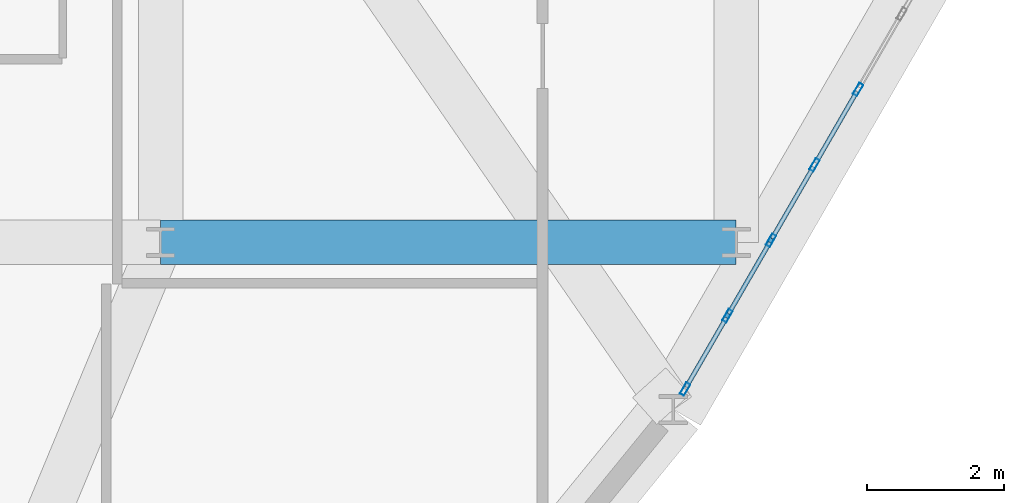
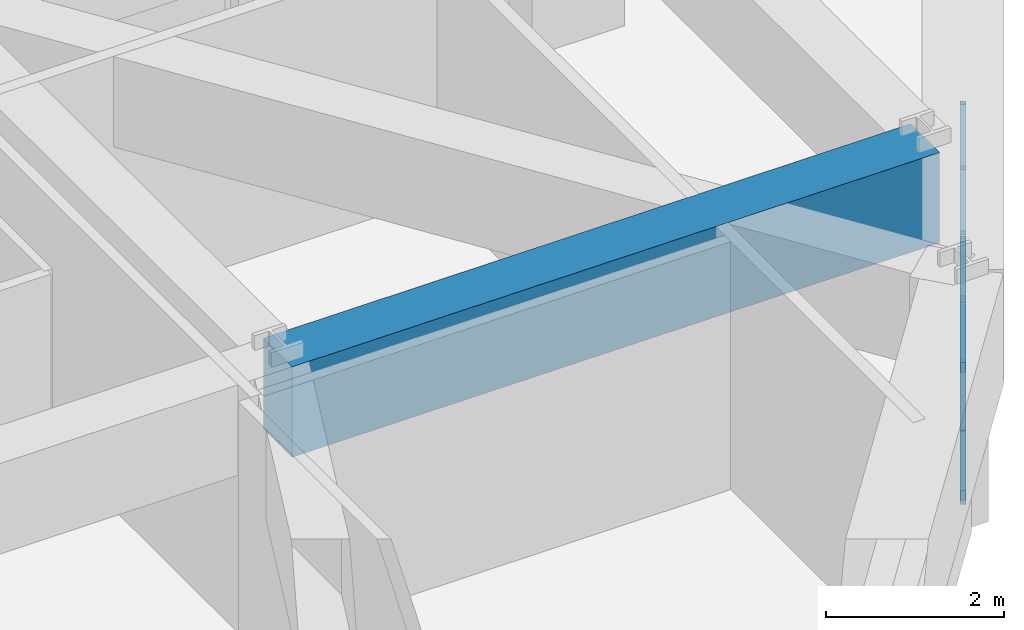
# One storey, part 6 of 16: 14 members, 1 beam, 1 element without a shape of its own.
"""IFC4 building model written with IfcOpenShell, lengths in metres."""

from ifc_helpers import new_model, si_unit, derived_unit, direction, frame, origin, origin_2d, place, context, subcontext, project, spatial, rectangle, hollow_rectangle, extrude, source, transform, mapped, material, layer, layer_set, material_profile, profile_set, type_object, element, aggregate, save


model = new_model("IFC4")

# Units and contexts
model_context = context("Model", 3, precision=1e-05, world=origin(), true_north=direction((0.0, 1.0)))
body_context = subcontext(model_context, "Body", "Model", "MODEL_VIEW")
ifc_project = project(units=[si_unit("LENGTHUNIT", "METRE"), si_unit("AREAUNIT", "SQUARE_METRE"), si_unit("VOLUMEUNIT", "CUBIC_METRE"), si_unit("PLANEANGLEUNIT", "RADIAN"), si_unit("MASSUNIT", "GRAM", prefix="KILO"), derived_unit("THERMALTRANSMITTANCEUNIT", [(si_unit("POWERUNIT", "WATT"), 1), (si_unit("LENGTHUNIT", "METRE"), -2), (si_unit("THERMODYNAMICTEMPERATUREUNIT", "KELVIN"), -1)])], contexts=[model_context])

# Site, building, storey
site_placement = place(None, origin())
site = spatial("IfcSite", under=ifc_project, at=site_placement, CompositionType="ELEMENT")
building_placement = place(site_placement, origin())
building = spatial("IfcBuilding", under=site, at=building_placement, Name="Korsvarv Bourse and Concert Hall", CompositionType="ELEMENT")
storey_placement = place(building_placement, frame((0.0, 0.0, 143.39990234375)))
storey = spatial("IfcBuildingStorey", under=building, at=storey_placement, Name="L36", CompositionType="ELEMENT", Elevation=143.39990234375)

# Beam
ifc_material_1 = material(Name="Concrete C50/60", Category="concrete")
ifc_material_profile_1 = material_profile(ifc_material_1, rectangle(XDim=0.64990234375, YDim=1.239990234375, at=origin_2d()), Name="RC-BM 650x1240")
ifc_profile_set_1 = profile_set([ifc_material_profile_1], Name="Concrete C50/60")
beam_type = type_object("IfcBeamType", Name="BM-TR-SPN", PredefinedType="BEAM", material=ifc_profile_set_1)
shared_shape_1 = source(origin(), body_context, "Body", "SweptSolid", [
    extrude(rectangle(XDim=0.64990234375, YDim=1.239990234375, at=origin_2d()), origin(), (0.0, 0.0, 1.0), 8.39990234375),
])
beam_placement = place(storey_placement, frame((36.0, 24.0, 2.780029296875), z_axis=(1.0, 0.0, 0.0), x_axis=(0.0, 1.0, 0.0)))
element("IfcBeam", 1, at=beam_placement, inside=storey, type_object=beam_type, Name="L36 beam B-TRS", PredefinedType="BEAM", context=body_context, shape_type="MappedRepresentation", body=[
    mapped(shared_shape_1, transform((0.0, 0.0, 0.0), scale=1.0)),
])

# Curtain wall, members
ifc_material_2 = material(Name="Anodised aluminium and triple low-E glazing", Category="glass")
ifc_layer = layer(ifc_material_2, 0.2099609375)
ifc_layer_set = layer_set([ifc_layer], Name="Anodised aluminium and triple low-E glazing")
curtain_wall_type = type_object("IfcCurtainWallType", Name="CW-SYS-2", PredefinedType="NOTDEFINED", material=ifc_layer_set)
curtain_wall_placement = place(storey_placement, origin())
curtain_wall = element("IfcCurtainWall", 2, at=curtain_wall_placement, inside=storey, type_object=curtain_wall_type, Name="L36 CW2 curtain wall CW-L36-F11", PredefinedType="NOTDEFINED")
ifc_material_3 = material(Name="Extruded aluminium EN AW-6063 T66", Category="aluminium")
ifc_material_profile_2 = material_profile(ifc_material_3, hollow_rectangle(XDim=0.070068359375, YDim=0.18994140625, WallThickness=0.0048828125, at=origin_2d()), Name="ALU-M 70x190")
ifc_profile_set_2 = profile_set([ifc_material_profile_2], Name="Extruded aluminium EN AW-6063 T66")
member_type_1 = type_object("IfcMemberType", Name="CWM-190", PredefinedType="MULLION", material=ifc_profile_set_2)
shared_shape_2 = source(origin(), body_context, "Body", "SweptSolid", [
    extrude(hollow_rectangle(XDim=0.070068359375, YDim=0.18994140625, WallThickness=0.0048828125, at=origin_2d()), origin(), (0.0, 0.0, 1.0), 1.8701171875),
])
member_1_placement = place(storey_placement, frame((43.654296875, 21.8583984375, 0.0), z_axis=(0.0, 0.0, 1.0), x_axis=(-0.866025213439, 0.500000329688, 0.0)))
member_1 = element("IfcMember", 3, at=member_1_placement, type_object=member_type_1, Name="CW2 mullion 1", PredefinedType="MULLION", context=body_context, shape_type="MappedRepresentation", body=[
    mapped(shared_shape_2, transform((0.0, 0.0, 0.0), scale=1.0)),
])
member_2_placement = place(storey_placement, frame((44.272216796875, 22.9287109375, 0.0), z_axis=(0.0, 0.0, 1.0), x_axis=(-0.866025213439, 0.500000329688, 0.0)))
member_2 = element("IfcMember", 4, at=member_2_placement, type_object=member_type_1, Name="CW2 mullion 2", PredefinedType="MULLION", context=body_context, shape_type="MappedRepresentation", body=[
    mapped(shared_shape_2, transform((0.0, 0.0, 0.0), scale=1.0)),
])
member_3_placement = place(storey_placement, frame((44.90771484375, 24.029296875, 0.0), z_axis=(0.0, 0.0, 1.0), x_axis=(-0.866025213439, 0.500000329688, 0.0)))
member_3 = element("IfcMember", 5, at=member_3_placement, type_object=member_type_1, Name="CW2 mullion 3", PredefinedType="MULLION", context=body_context, shape_type="MappedRepresentation", body=[
    mapped(shared_shape_2, transform((0.0, 0.0, 0.0), scale=1.0)),
])
member_4_placement = place(storey_placement, frame((45.543212890625, 25.130126953125, 0.0), z_axis=(0.0, 0.0, 1.0), x_axis=(-0.866025213439, 0.500000329688, 0.0)))
member_4 = element("IfcMember", 6, at=member_4_placement, type_object=member_type_1, Name="CW2 mullion 4", PredefinedType="MULLION", context=body_context, shape_type="MappedRepresentation", body=[
    mapped(shared_shape_2, transform((0.0, 0.0, 0.0), scale=1.0)),
])
member_5_placement = place(storey_placement, frame((46.1787109375, 26.230712890625, 0.0), z_axis=(0.0, 0.0, 1.0), x_axis=(-0.866025213439, 0.500000329688, 0.0)))
member_5 = element("IfcMember", 7, at=member_5_placement, type_object=member_type_1, Name="CW2 mullion 5", PredefinedType="MULLION", context=body_context, shape_type="MappedRepresentation", body=[
    mapped(shared_shape_2, transform((0.0, 0.0, 0.0), scale=1.0)),
])
ifc_material_profile_3 = material_profile(ifc_material_3, hollow_rectangle(XDim=0.06494140625, YDim=0.139892578125, WallThickness=0.00390625, at=origin_2d()), Name="ALU-T 65x140")
ifc_profile_set_3 = profile_set([ifc_material_profile_3], Name="Extruded aluminium EN AW-6063 T66")
member_type_2 = type_object("IfcMemberType", Name="CWT-140", PredefinedType="USERDEFINED", material=ifc_profile_set_3)
shared_shape_3 = source(origin(), body_context, "Body", "SweptSolid", [
    extrude(hollow_rectangle(XDim=0.06494140625, YDim=0.139892578125, WallThickness=0.00390625, at=origin_2d()), origin(), (0.0, 0.0, 1.0), 1.166015625),
])
member_6_placement = place(storey_placement, frame((43.671875, 21.888671875, 0.03271484375), z_axis=(0.500012451049, 0.866018215049, 0.0), x_axis=(-0.866018215049, 0.500012451049, 0.0)))
member_6 = element("IfcMember", 8, at=member_6_placement, type_object=member_type_2, Name="CW2 transom 1.1", ObjectType="TRANSOM", PredefinedType="USERDEFINED", context=body_context, shape_type="MappedRepresentation", body=[
    mapped(shared_shape_3, transform((0.0, 0.0, 0.0), scale=1.0)),
])
member_7_placement = place(storey_placement, frame((43.671875, 21.888671875, 1.837646484375), z_axis=(0.500012451049, 0.866018215049, 0.0), x_axis=(-0.866018215049, 0.500012451049, 0.0)))
member_7 = element("IfcMember", 9, at=member_7_placement, type_object=member_type_2, Name="CW2 transom 1.2", ObjectType="TRANSOM", PredefinedType="USERDEFINED", context=body_context, shape_type="MappedRepresentation", body=[
    mapped(shared_shape_3, transform((0.0, 0.0, 0.0), scale=1.0)),
])
ifc_material_profile_4 = material_profile(ifc_material_3, hollow_rectangle(XDim=0.06494140625, YDim=0.1650390625, WallThickness=0.0048828125, at=origin_2d()), Name="ALU-M 65x165")
ifc_profile_set_4 = profile_set([ifc_material_profile_4], Name="Extruded aluminium EN AW-6063 T66")
member_type_3 = type_object("IfcMemberType", Name="CWM-165", PredefinedType="MULLION", material=ifc_profile_set_4)
shared_shape_4 = source(origin(), body_context, "Body", "SweptSolid", [
    extrude(hollow_rectangle(XDim=0.06494140625, YDim=0.1650390625, WallThickness=0.0048828125, at=origin_2d()), origin(), (0.0, 0.0, 1.0), 2.1142578125),
])
member_8_placement = place(storey_placement, frame((44.289794921875, 22.958984375, 0.065185546875), z_axis=(0.284068966216, 0.49192430735, 0.8229916757), x_axis=(-0.865982457891, 0.500074377092, 0.0)))
member_8 = element("IfcMember", 10, at=member_8_placement, type_object=member_type_3, Name="CW2 diagonal mullion 2", PredefinedType="MULLION", context=body_context, shape_type="MappedRepresentation", body=[
    mapped(shared_shape_4, transform((0.0, 0.0, 0.0), scale=1.0)),
])
shared_shape_5 = source(origin(), body_context, "Body", "SweptSolid", [
    extrude(hollow_rectangle(XDim=0.06494140625, YDim=0.139892578125, WallThickness=0.00390625, at=origin_2d()), origin(), (0.0, 0.0, 1.0), 1.200927734375),
])
member_9_placement = place(storey_placement, frame((44.289794921875, 22.958984375, 0.03271484375), z_axis=(0.500074377092, 0.865982457891, 0.0), x_axis=(-0.865982457891, 0.500074377092, 0.0)))
member_9 = element("IfcMember", 11, at=member_9_placement, type_object=member_type_2, Name="CW2 transom 2.1", ObjectType="TRANSOM", PredefinedType="USERDEFINED", context=body_context, shape_type="MappedRepresentation", body=[
    mapped(shared_shape_5, transform((0.0, 0.0, 0.0), scale=1.0)),
])
member_10_placement = place(storey_placement, frame((44.289794921875, 22.958984375, 1.837646484375), z_axis=(0.500074377092, 0.865982457891, 0.0), x_axis=(-0.865982457891, 0.500074377092, 0.0)))
member_10 = element("IfcMember", 12, at=member_10_placement, type_object=member_type_2, Name="CW2 transom 2.2", ObjectType="TRANSOM", PredefinedType="USERDEFINED", context=body_context, shape_type="MappedRepresentation", body=[
    mapped(shared_shape_5, transform((0.0, 0.0, 0.0), scale=1.0)),
])
member_11_placement = place(storey_placement, frame((44.92529296875, 24.059814453125, 0.03271484375), z_axis=(0.500074377092, 0.865982457891, 0.0), x_axis=(-0.865982457891, 0.500074377092, 0.0)))
member_11 = element("IfcMember", 13, at=member_11_placement, type_object=member_type_2, Name="CW2 transom 3.1", ObjectType="TRANSOM", PredefinedType="USERDEFINED", context=body_context, shape_type="MappedRepresentation", body=[
    mapped(shared_shape_5, transform((0.0, 0.0, 0.0), scale=1.0)),
])
member_12_placement = place(storey_placement, frame((44.92529296875, 24.059814453125, 1.837646484375), z_axis=(0.500074377092, 0.865982457891, 0.0), x_axis=(-0.865982457891, 0.500074377092, 0.0)))
member_12 = element("IfcMember", 14, at=member_12_placement, type_object=member_type_2, Name="CW2 transom 3.2", ObjectType="TRANSOM", PredefinedType="USERDEFINED", context=body_context, shape_type="MappedRepresentation", body=[
    mapped(shared_shape_5, transform((0.0, 0.0, 0.0), scale=1.0)),
])
member_13_placement = place(storey_placement, frame((45.560791015625, 25.160400390625, 0.03271484375), z_axis=(0.500074377092, 0.865982457891, 0.0), x_axis=(-0.865982457891, 0.500074377092, 0.0)))
member_13 = element("IfcMember", 15, at=member_13_placement, type_object=member_type_2, Name="CW2 transom 4.1", ObjectType="TRANSOM", PredefinedType="USERDEFINED", context=body_context, shape_type="MappedRepresentation", body=[
    mapped(shared_shape_5, transform((0.0, 0.0, 0.0), scale=1.0)),
])
member_14_placement = place(storey_placement, frame((45.560791015625, 25.160400390625, 1.837646484375), z_axis=(0.500074377092, 0.865982457891, 0.0), x_axis=(-0.865982457891, 0.500074377092, 0.0)))
member_14 = element("IfcMember", 16, at=member_14_placement, type_object=member_type_2, Name="CW2 transom 4.2", ObjectType="TRANSOM", PredefinedType="USERDEFINED", context=body_context, shape_type="MappedRepresentation", body=[
    mapped(shared_shape_5, transform((0.0, 0.0, 0.0), scale=1.0)),
])
aggregate(curtain_wall, [member_1, member_2, member_3, member_4, member_5, member_6, member_7, member_9, member_10, member_8, member_11, member_12, member_13, member_14])

save(model, "model.ifc")
